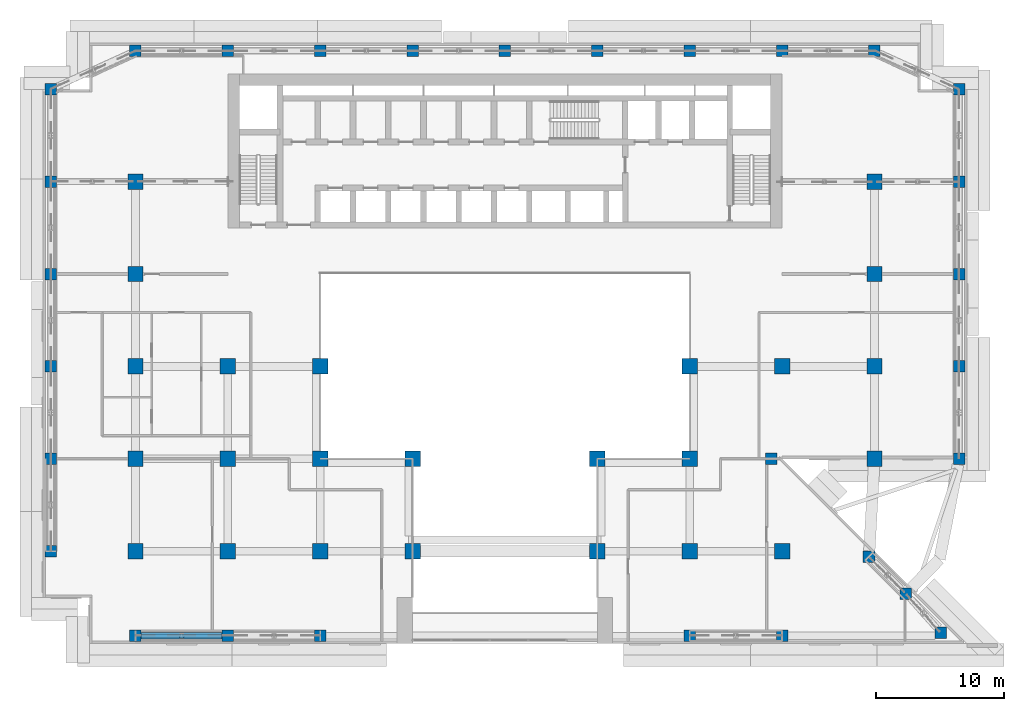
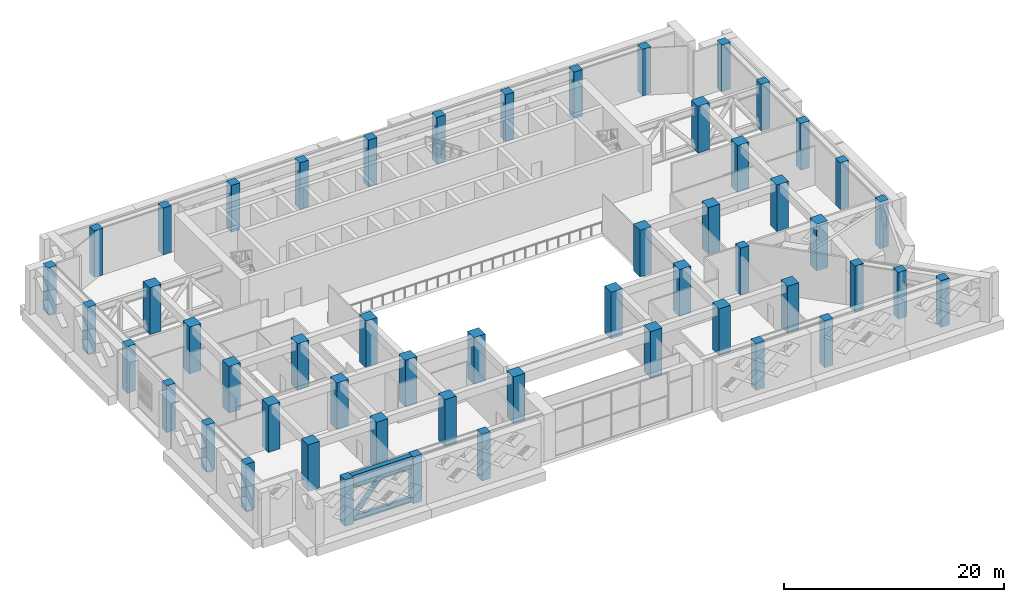
# One storey, part 1 of 19: 53 columns, 3 members, 1 beam.
"""IFC4 building model written with IfcOpenShell, lengths in metres."""

import ifcopenshell
import ifcopenshell.guid

model = None  # the IFC model being written
_history = None  # IfcOwnerHistory: only IFC2X3 demands one
_inside = {}  # id of a spatial element -> (the spatial element, [elements in it])
_under = {}  # id of a project, library or spatial element -> (it, [spatial elements below it])
_declared = {}  # id of a project -> (the project, [libraries it declares])
_typed = {}  # id of a type object -> (the type object, [elements of that type])
_made_of = {}  # id of a material, layer set ... -> (it, [elements and type objects made of it])


def new_model(schema):
    """Start an empty IFC model of exactly this schema.

    Asked for "IFC4X3", IfcOpenShell would pick the latest addendum, in which some entities
    have other attributes; the version numbers below select the first issue.
    IFC2X3 requires an IfcOwnerHistory on every rooted entity: one is made here for all.
    """
    global model, _history
    if schema == "IFC4X3":
        model = ifcopenshell.file(schema_version=(4, 3, 0, 0))
    else:
        model = ifcopenshell.file(schema=schema)
    _inside.clear()
    _under.clear()
    _declared.clear()
    _typed.clear()
    _made_of.clear()
    _history = None
    if model.schema == "IFC2X3":
        org = make("IfcOrganization", Name="unknown")
        user = make(
            "IfcPersonAndOrganization",
            ThePerson=make("IfcPerson", FamilyName="unknown"),
            TheOrganization=org,
        )
        app = make(
            "IfcApplication",
            ApplicationDeveloper=org,
            Version="unknown",
            ApplicationFullName="unknown",
            ApplicationIdentifier="unknown",
        )
        _history = make(
            "IfcOwnerHistory",
            OwningUser=user,
            OwningApplication=app,
            ChangeAction="ADDED",
            CreationDate=0,
        )
    return model


def make(cls, **values):
    """One entity of the class cls with the attributes given. An attribute that is None is left unset."""
    return model.create_entity(
        cls, **{name: value for name, value in values.items() if value is not None}
    )


def rooted(cls, **values):
    """An entity with a GlobalId (a new one), such as an element, a storey or a relation."""
    return make(cls, GlobalId=ifcopenshell.guid.new(), OwnerHistory=_history, **values)


def si_unit(unit_type, name, prefix=None):
    """IfcSIUnit, for example si_unit("LENGTHUNIT", "METRE", prefix="MILLI")."""
    return make("IfcSIUnit", UnitType=unit_type, Prefix=prefix, Name=name)


def assignment(units):
    """IfcUnitAssignment: the units of a project."""
    return None if units is None else make("IfcUnitAssignment", Units=units)


def point(xyz):
    """IfcCartesianPoint."""
    return None if xyz is None else make("IfcCartesianPoint", Coordinates=xyz)


def direction(xyz):
    """IfcDirection."""
    return None if xyz is None else make("IfcDirection", DirectionRatios=xyz)


def frame(location, z_axis=None, x_axis=None):
    """IfcAxis2Placement3D, a coordinate frame: its origin and axes. An axis left out is left unset."""
    return make(
        "IfcAxis2Placement3D",
        Location=point(location),
        Axis=direction(z_axis),
        RefDirection=direction(x_axis),
    )


def frame_2d(location, x_axis=None):
    """IfcAxis2Placement2D, a coordinate frame in the plane: its origin and x axis."""
    return make(
        "IfcAxis2Placement2D", Location=point(location), RefDirection=direction(x_axis)
    )


def origin():
    """The frame at (0, 0, 0) with its axes left unset."""
    return frame((0.0, 0.0, 0.0))


def origin_2d():
    """The frame at (0, 0) in the plane with its x axis left unset."""
    return frame_2d((0.0, 0.0))


def place(relative_to, where):
    """IfcLocalPlacement: puts the frame where relative to a parent placement (None: the world)."""
    return make(
        "IfcLocalPlacement", PlacementRelTo=relative_to, RelativePlacement=where
    )


def context(
    kind, dimensions, precision=None, world=None, true_north=None, identifier=None
):
    """IfcGeometricRepresentationContext, for example the 3D "Model" context."""
    return make(
        "IfcGeometricRepresentationContext",
        ContextIdentifier=identifier,
        ContextType=kind,
        CoordinateSpaceDimension=dimensions,
        Precision=precision,
        WorldCoordinateSystem=world,
        TrueNorth=true_north,
    )


def subcontext(parent, identifier, kind, view, scale=None):
    """IfcGeometricRepresentationSubContext, for example "Body" below "Model"."""
    return make(
        "IfcGeometricRepresentationSubContext",
        ContextIdentifier=identifier,
        ContextType=kind,
        ParentContext=parent,
        TargetScale=scale,
        TargetView=view,
    )


def project(units=None, contexts=None):
    """IfcProject with its units and contexts."""
    return rooted(
        "IfcProject",
        Name="project",
        RepresentationContexts=contexts,
        UnitsInContext=assignment(units),
    )


def spatial(cls, under=None, at=None, **own):
    """A site, building, storey or space (cls), placed at a placement, below another one or the project."""
    s = rooted(cls, ObjectPlacement=at, **own)
    if under is not None:
        _under.setdefault(under.id(), (under, []))[1].append(s)
    return s


def profile(cls, at=None, kind="AREA", **sizes):
    """A parametric profile (cls). Its sizes go by their IFC names, for example OverallWidth=200.0."""
    return make(cls, ProfileType=kind, Position=at, **sizes)


def rectangle(**sizes):
    """IfcRectangleProfileDef."""
    return profile("IfcRectangleProfileDef", **sizes)


def hollow_circle(**sizes):
    """IfcCircleHollowProfileDef."""
    return profile("IfcCircleHollowProfileDef", **sizes)


def i_section(**sizes):
    """IfcIShapeProfileDef."""
    return profile("IfcIShapeProfileDef", **sizes)


def extrude(swept, where, along, depth):
    """IfcExtrudedAreaSolid: the profile swept, set in the frame where, extruded along a direction by depth."""
    return make(
        "IfcExtrudedAreaSolid",
        SweptArea=swept,
        Position=where,
        ExtrudedDirection=direction(along),
        Depth=depth,
    )


def shape(context_of_items, identifier, shape_type, items):
    """IfcShapeRepresentation: the items that make up one representation, for example the "Body"."""
    return make(
        "IfcShapeRepresentation",
        ContextOfItems=context_of_items,
        RepresentationIdentifier=identifier,
        RepresentationType=shape_type,
        Items=items,
    )


def source(mapping_origin, context_of_items, identifier, shape_type, items):
    """IfcRepresentationMap: a shape defined once, which mapped items show again and again."""
    return make(
        "IfcRepresentationMap",
        MappingOrigin=mapping_origin,
        MappedRepresentation=shape(context_of_items, identifier, shape_type, items),
    )


def transform(
    local_origin,
    x_axis=None,
    y_axis=None,
    z_axis=None,
    scale=None,
    scale2=None,
    scale3=None,
    uniform=True,
):
    """IfcCartesianTransformationOperator3D, or its non-uniform kind. x_axis, y_axis, z_axis: its Axis1, 2, 3."""
    if uniform:
        return make(
            "IfcCartesianTransformationOperator3D",
            Axis1=direction(x_axis),
            Axis2=direction(y_axis),
            LocalOrigin=point(local_origin),
            Scale=scale,
            Axis3=direction(z_axis),
        )
    return make(
        "IfcCartesianTransformationOperator3DnonUniform",
        Axis1=direction(x_axis),
        Axis2=direction(y_axis),
        LocalOrigin=point(local_origin),
        Scale=scale,
        Axis3=direction(z_axis),
        Scale2=scale2,
        Scale3=scale3,
    )


def mapped(mapping_source, mapping_target):
    """IfcMappedItem: shows the shape of a source again, moved by a transform."""
    return make(
        "IfcMappedItem", MappingSource=mapping_source, MappingTarget=mapping_target
    )


def material(Name=None, Category=None):
    """IfcMaterial."""
    return make("IfcMaterial", Name=Name, Category=Category)


def material_profile(
    of_material, cross_section, Name=None, Category=None, Priority=None
):
    """IfcMaterialProfile: a cross section and its material."""
    return make(
        "IfcMaterialProfile",
        Name=Name,
        Material=of_material,
        Profile=cross_section,
        Priority=Priority,
        Category=Category,
    )


def profile_set(profiles, Name=None, composite=None):
    """IfcMaterialProfileSet."""
    return make(
        "IfcMaterialProfileSet",
        Name=Name,
        MaterialProfiles=profiles,
        CompositeProfile=composite,
    )


def made_of(thing, what):
    """Note that an element or type object is made of a material, layer set ...; save() writes the relation."""
    if what is not None:
        _made_of.setdefault(what.id(), (what, []))[1].append(thing)
    return thing


def type_object(cls, material=None, **own):
    """A type object (cls), such as IfcWallType, which elements share."""
    return made_of(rooted(cls, **own), material)


def element(
    cls,
    number,
    at=None,
    inside=None,
    cuts=None,
    type_object=None,
    material=None,
    context=None,
    identifier="Body",
    shape_type=None,
    held_by="IfcProductDefinitionShape",
    body=None,
    shapes=None,
    **own,
):
    """One element of the class cls, such as IfcWall. Its Tag is "e" and its number.

    at: its placement. inside: the storey or other place that contains it. cuts: it is an
    opening in that element (IfcRelVoidsElement). A single representation is given by context,
    identifier, shape_type and body (its items); several are given by shapes. held_by: the class
    of the entity that holds the representations. save() writes the other relations.
    """
    e = rooted(cls, Tag="e%d" % number, ObjectPlacement=at, **own)
    if body is not None:
        shapes = [shape(context, identifier, shape_type, body)]
    if shapes is not None:
        e.Representation = make(held_by, Representations=shapes)
    if inside is not None:
        _inside.setdefault(inside.id(), (inside, []))[1].append(e)
    if cuts is not None:
        rooted(
            "IfcRelVoidsElement", RelatingBuildingElement=cuts, RelatedOpeningElement=e
        )
    if type_object is not None:
        _typed.setdefault(type_object.id(), (type_object, []))[1].append(e)
    return made_of(e, material)


def aggregate(whole, parts):
    """IfcRelAggregates: a whole, such as a stair, and the parts it consists of."""
    return rooted("IfcRelAggregates", RelatingObject=whole, RelatedObjects=parts)


def save(model, path):
    """Write the relations noted so far, then the file.

    IfcRelAggregates (storeys below a building ...), IfcRelContainedInSpatialStructure (elements
    in a storey), IfcRelDefinesByType, IfcRelAssociatesMaterial and IfcRelDeclares: one each for
    every whole, place, type object, material and project.
    """
    for whole, parts in _under.values():
        aggregate(whole, parts)
    for where, things in _inside.values():
        rooted(
            "IfcRelContainedInSpatialStructure",
            RelatedElements=things,
            RelatingStructure=where,
        )
    for kind, things in _typed.values():
        rooted("IfcRelDefinesByType", RelatedObjects=things, RelatingType=kind)
    for what, things in _made_of.values():
        rooted("IfcRelAssociatesMaterial", RelatedObjects=things, RelatingMaterial=what)
    for by, libraries in _declared.values():
        rooted("IfcRelDeclares", RelatingContext=by, RelatedDefinitions=libraries)
    model.write(path)


model = new_model("IFC4")

# Units and contexts
model_context = context("Model", 3, precision=1e-05, world=origin(), true_north=direction((0.0, 1.0)))
body_context = subcontext(model_context, "Body", "Model", "MODEL_VIEW")
ifc_project = project(units=[si_unit("LENGTHUNIT", "METRE"), si_unit("AREAUNIT", "SQUARE_METRE"), si_unit("VOLUMEUNIT", "CUBIC_METRE"), si_unit("PLANEANGLEUNIT", "RADIAN"), si_unit("MASSUNIT", "GRAM", prefix="KILO")], contexts=[model_context])

# Site, building, storey
site_placement = place(None, origin())
site = spatial("IfcSite", under=ifc_project, at=site_placement, CompositionType="ELEMENT")
building_placement = place(site_placement, origin())
building = spatial("IfcBuilding", under=site, at=building_placement, Name="Saffron Iwan Residences", CompositionType="ELEMENT")
storey_placement = place(building_placement, frame((0.0, 0.0, 107.5)))
storey = spatial("IfcBuildingStorey", under=building, at=storey_placement, Name="L28", CompositionType="ELEMENT", Elevation=107.5)

# Columns
ifc_material_1 = material(Name="Concrete C60/75", Category="concrete")
ifc_material_profile_1 = material_profile(ifc_material_1, rectangle(XDim=0.89990234375, YDim=0.89990234375, at=origin_2d()), Name="RC 900x900")
ifc_profile_set_1 = profile_set([ifc_material_profile_1], Name="Concrete C60/75")
column_type_1 = type_object("IfcColumnType", Name="COL RC 900x900 C60/75 5200 HIGH", PredefinedType="COLUMN", material=ifc_profile_set_1)
shared_shape_1 = source(origin(), body_context, "Body", "SweptSolid", [
    extrude(rectangle(XDim=0.89990234375, YDim=0.89990234375, at=origin_2d()), origin(), (0.0, 0.0, 1.0), 5.199951171875),
])
for number, where, z_axis, x_axis, name in (
    (1, (21.60009765625, 34.199951171875, 0.0), (0.0, 0.0, 1.0), (1.0, 0.0, 0.0), "Column C038"),
    (2, (28.800048828125, 34.199951171875, 0.0), (0.0, 0.0, 1.0), (1.0, 0.0, 0.0), "Column C039"),
    (3, (36.0, 34.199951171875, 0.0), (0.0, 0.0, 1.0), (1.0, 0.0, 0.0), "Column C040"),
    (4, (64.800048828125, 34.199951171875, 0.0), (0.0, 0.0, 1.0), (1.0, 0.0, 0.0), "Column C041"),
    (5, (72.0, 34.199951171875, 0.0), (0.0, 0.0, 1.0), (1.0, 0.0, 0.0), "Column C042"),
    (6, (84.367431640625, 34.44189453125, 0.0), (0.0, 0.0, 1.0), (1.0, 0.0, 0.0), "Column C043"),
    (7, (81.65576171875, 37.49560546875, 0.0), (0.0, 0.0, 1.0), (1.0, 0.0, 0.0), "Column C044"),
    (8, (78.775634765625, 40.375732421875, 0.0), (0.0, 0.0, 1.0), (1.0, 0.0, 0.0), "Column C047"),
    (9, (15.0, 40.800048828125, 0.0), (0.0, 0.0, 1.0), (1.0, 0.0, 0.0), "Column C048"),
    (10, (15.0, 48.0, 0.0), (0.0, 0.0, 1.0), (1.0, 0.0, 0.0), "Column C061"),
    (11, (71.14990234375, 48.0, 0.0), (0.0, 0.0, 1.0), (1.0, 0.0, 0.0), "Column C070"),
    (12, (85.800048828125, 48.0, 0.0), (0.0, 0.0, 1.0), (1.0, 0.0, 0.0), "Column C074"),
    (13, (15.0, 55.199951171875, 0.0), (0.0, 0.0, 1.0), (1.0, 0.0, 0.0), "Column C077"),
    (14, (85.800048828125, 55.199951171875, 0.0), (0.0, 0.0, 1.0), (1.0, 0.0, 0.0), "Column C086"),
    (15, (15.0, 62.39990234375, 0.0), (0.0, 0.0, 1.0), (1.0, 0.0, 0.0), "Column C089"),
    (16, (85.800048828125, 62.39990234375, 0.0), (0.0, 0.0, 1.0), (1.0, 0.0, 0.0), "Column C094"),
    (17, (15.0, 69.60009765625, 0.0), (0.0, 0.0, 1.0), (1.0, 0.0, 0.0), "Column C097"),
    (18, (85.800048828125, 69.60009765625, 0.0), (0.0, 0.0, 1.0), (1.0, 0.0, 0.0), "Column C102"),
    (19, (15.0, 76.800048828125, 0.0), (0.0, 0.0, 1.0), (1.0, 0.0, 0.0), "Column C105"),
    (20, (85.800048828125, 76.800048828125, 0.0), (0.0, 0.0, 1.0), (1.0, 0.0, 0.0), "Column C110"),
    (21, (21.60009765625, 79.800048828125, 0.0), (0.0, 0.0, 1.0), (1.0, 0.0, 0.0), "Column C113"),
    (22, (28.800048828125, 79.800048828125, 0.0), (0.0, 0.0, 1.0), (1.0, 0.0, 0.0), "Column C115"),
    (23, (36.0, 79.800048828125, 0.0), (0.0, 0.0, 1.0), (1.0, 0.0, 0.0), "Column C116"),
    (24, (43.199951171875, 79.800048828125, 0.0), (0.0, 0.0, 1.0), (1.0, 0.0, 0.0), "Column C117"),
    (25, (50.39990234375, 79.800048828125, 0.0), (0.0, 0.0, 1.0), (1.0, 0.0, 0.0), "Column C118"),
    (26, (57.60009765625, 79.800048828125, 0.0), (0.0, 0.0, 1.0), (1.0, 0.0, 0.0), "Column C119"),
    (27, (64.800048828125, 79.800048828125, 0.0), (0.0, 0.0, 1.0), (1.0, 0.0, 0.0), "Column C120"),
    (28, (72.0, 79.800048828125, 0.0), (0.0, 0.0, 1.0), (1.0, 0.0, 0.0), "Column C121"),
    (29, (79.199951171875, 79.800048828125, 0.0), (0.0, 0.0, 1.0), (1.0, 0.0, 0.0), "Column C123"),
):
    element("IfcColumn", number, at=place(storey_placement, frame(where, z_axis=z_axis, x_axis=x_axis)), inside=storey, type_object=column_type_1, Name=name, PredefinedType="COLUMN", context=body_context, shape_type="MappedRepresentation", body=[
        mapped(shared_shape_1, transform((0.0, 0.0, 0.0))),
    ])
ifc_material_profile_2 = material_profile(ifc_material_1, rectangle(XDim=1.199951171875, YDim=1.199951171875, at=origin_2d()), Name="RC 1200x1200")
ifc_profile_set_2 = profile_set([ifc_material_profile_2], Name="Concrete C60/75")
column_type_2 = type_object("IfcColumnType", Name="COL RC 1200x1200 C60/75 5200 HIGH", PredefinedType="COLUMN", material=ifc_profile_set_2)
shared_shape_2 = source(origin(), body_context, "Body", "SweptSolid", [
    extrude(rectangle(XDim=1.199951171875, YDim=1.199951171875, at=origin_2d()), origin(), (0.0, 0.0, 1.0), 5.199951171875),
])
for number, where, z_axis, x_axis, name in (
    (30, (21.60009765625, 40.800048828125, 0.0), (0.0, 0.0, 1.0), (1.0, 0.0, 0.0), "Column C049"),
    (31, (28.800048828125, 40.800048828125, 0.0), (0.0, 0.0, 1.0), (1.0, 0.0, 0.0), "Column C051"),
    (32, (36.0, 40.800048828125, 0.0), (0.0, 0.0, 1.0), (1.0, 0.0, 0.0), "Column C052"),
    (33, (43.199951171875, 40.800048828125, 0.0), (0.0, 0.0, 1.0), (1.0, 0.0, 0.0), "Column C053"),
    (34, (57.60009765625, 40.800048828125, 0.0), (0.0, 0.0, 1.0), (1.0, 0.0, 0.0), "Column C054"),
    (35, (64.800048828125, 40.800048828125, 0.0), (0.0, 0.0, 1.0), (1.0, 0.0, 0.0), "Column C055"),
    (36, (72.0, 40.800048828125, 0.0), (0.0, 0.0, 1.0), (1.0, 0.0, 0.0), "Column C056"),
    (37, (21.60009765625, 48.0, 0.0), (0.0, 0.0, 1.0), (1.0, 0.0, 0.0), "Column C063"),
    (38, (28.800048828125, 48.0, 0.0), (0.0, 0.0, 1.0), (1.0, 0.0, 0.0), "Column C064"),
    (39, (36.0, 48.0, 0.0), (0.0, 0.0, 1.0), (1.0, 0.0, 0.0), "Column C065"),
    (40, (43.199951171875, 48.0, 0.0), (0.0, 0.0, 1.0), (1.0, 0.0, 0.0), "Column C066"),
    (41, (57.60009765625, 48.0, 0.0), (0.0, 0.0, 1.0), (1.0, 0.0, 0.0), "Column C068"),
    (42, (64.800048828125, 48.0, 0.0), (0.0, 0.0, 1.0), (1.0, 0.0, 0.0), "Column C069"),
    (43, (79.199951171875, 48.0, 0.0), (0.0, 0.0, 1.0), (1.0, 0.0, 0.0), "Column C072"),
    (44, (21.60009765625, 55.199951171875, 0.0), (0.0, 0.0, 1.0), (1.0, 0.0, 0.0), "Column C079"),
    (45, (28.800048828125, 55.199951171875, 0.0), (0.0, 0.0, 1.0), (1.0, 0.0, 0.0), "Column C080"),
    (46, (36.0, 55.199951171875, 0.0), (0.0, 0.0, 1.0), (1.0, 0.0, 0.0), "Column C081"),
    (47, (64.800048828125, 55.199951171875, 0.0), (0.0, 0.0, 1.0), (1.0, 0.0, 0.0), "Column C082"),
    (48, (72.0, 55.199951171875, 0.0), (0.0, 0.0, 1.0), (1.0, 0.0, 0.0), "Column C083"),
    (49, (79.199951171875, 55.199951171875, 0.0), (0.0, 0.0, 1.0), (1.0, 0.0, 0.0), "Column C084"),
    (50, (21.60009765625, 62.39990234375, 0.0), (0.0, 0.0, 1.0), (1.0, 0.0, 0.0), "Column C091"),
    (51, (79.199951171875, 62.39990234375, 0.0), (0.0, 0.0, 1.0), (1.0, 0.0, 0.0), "Column C092"),
    (52, (21.60009765625, 69.60009765625, 0.0), (0.0, 0.0, 1.0), (1.0, 0.0, 0.0), "Column C099"),
    (53, (79.199951171875, 69.60009765625, 0.0), (0.0, 0.0, 1.0), (1.0, 0.0, 0.0), "Column C100"),
):
    element("IfcColumn", number, at=place(storey_placement, frame(where, z_axis=z_axis, x_axis=x_axis)), inside=storey, type_object=column_type_2, Name=name, PredefinedType="COLUMN", context=body_context, shape_type="MappedRepresentation", body=[
        mapped(shared_shape_2, transform((0.0, 0.0, 0.0))),
    ])

# Beam
ifc_material_profile_3 = material_profile(ifc_material_1, rectangle(XDim=0.5, YDim=0.89990234375, at=origin_2d()), Name="RC 500x900")
ifc_profile_set_3 = profile_set([ifc_material_profile_3], Name="Concrete C60/75")
beam_type = type_object("IfcBeamType", Name="SPANDREL BEAM RC 500x900 C60/75 TOP 5200", PredefinedType="SPANDREL", material=ifc_profile_set_3)
shared_shape_3 = source(origin(), body_context, "Body", "SweptSolid", [
    extrude(rectangle(XDim=0.5, YDim=0.89990234375, at=origin_2d()), origin(), (0.0, 0.0, 1.0), 6.300048828125),
])
beam_placement = place(storey_placement, frame((28.35009765625, 34.199951171875, 4.75), z_axis=(-1.0, 0.0, 0.0), x_axis=(0.0, -1.0, 0.0)))
element("IfcBeam", 54, at=beam_placement, inside=storey, type_object=beam_type, Name="Spandrel beam", PredefinedType="SPANDREL", context=body_context, shape_type="MappedRepresentation", body=[
    mapped(shared_shape_3, transform((0.0, 0.0, 0.0))),
])

# Members
ifc_material_2 = material(Name="Steel S355", Category="steel")
ifc_material_profile_4 = material_profile(ifc_material_2, i_section(OverallWidth=0.304931640625, OverallDepth=0.6201171875, WebThickness=0.02099609375, FlangeThickness=0.0400390625, FilletRadius=0.027099609375, at=origin_2d()), Name="HE 600 M")
ifc_profile_set_4 = profile_set([ifc_material_profile_4], Name="Steel S355")
member_type_1 = type_object("IfcMemberType", Name="BELT TRUSS CHORD HE 600 M S355", PredefinedType="CHORD", material=ifc_profile_set_4)
shared_shape_4 = source(origin(), body_context, "Body", "SweptSolid", [
    extrude(i_section(OverallWidth=0.304931640625, OverallDepth=0.6201171875, WebThickness=0.02099609375, FlangeThickness=0.0400390625, FilletRadius=0.027099609375, at=origin_2d()), origin(), (0.0, 0.0, 1.0), 6.300048828125),
])
for number, where, z_axis, x_axis, name in (
    (55, (28.35009765625, 34.199951171875, 0.31005859375), (-1.0, 0.0, 0.0), (0.0, -1.0, 0.0), "Belt truss chord L28"),
    (56, (28.35009765625, 34.199951171875, 3.989990234375), (-1.0, 0.0, 0.0), (0.0, -1.0, 0.0), "Belt truss chord L28"),
):
    element("IfcMember", number, at=place(storey_placement, frame(where, z_axis=z_axis, x_axis=x_axis)), inside=storey, type_object=member_type_1, Name=name, PredefinedType="CHORD", context=body_context, shape_type="MappedRepresentation", body=[
        mapped(shared_shape_4, transform((0.0, 0.0, 0.0))),
    ])
ifc_material_profile_5 = material_profile(ifc_material_2, hollow_circle(Radius=0.25390625, WallThickness=0.01611328125, at=origin_2d()), Name="CHS 508x16")
ifc_profile_set_5 = profile_set([ifc_material_profile_5], Name="Steel S355")
member_type_2 = type_object("IfcMemberType", Name="BELT TRUSS DIAGONAL CHS 508x16 S355", PredefinedType="BRACE", material=ifc_profile_set_5)
shared_shape_5 = source(origin(), body_context, "Body", "SweptSolid", [
    extrude(hollow_circle(Radius=0.25390625, WallThickness=0.01611328125, at=origin_2d()), origin(), (0.0, 0.0, 1.0), 4.843994140625),
])
member_placement = place(storey_placement, frame((25.199951171875, 34.199951171875, 3.989990234375), z_axis=(-0.650276538531, 0.0, -0.75969758683), x_axis=(0.0, -1.0, 0.0)))
element("IfcMember", 57, at=member_placement, inside=storey, type_object=member_type_2, Name="Belt truss diagonal L28", PredefinedType="BRACE", context=body_context, shape_type="MappedRepresentation", body=[
    mapped(shared_shape_5, transform((0.0, 0.0, 0.0))),
])

save(model, "model.ifc")
